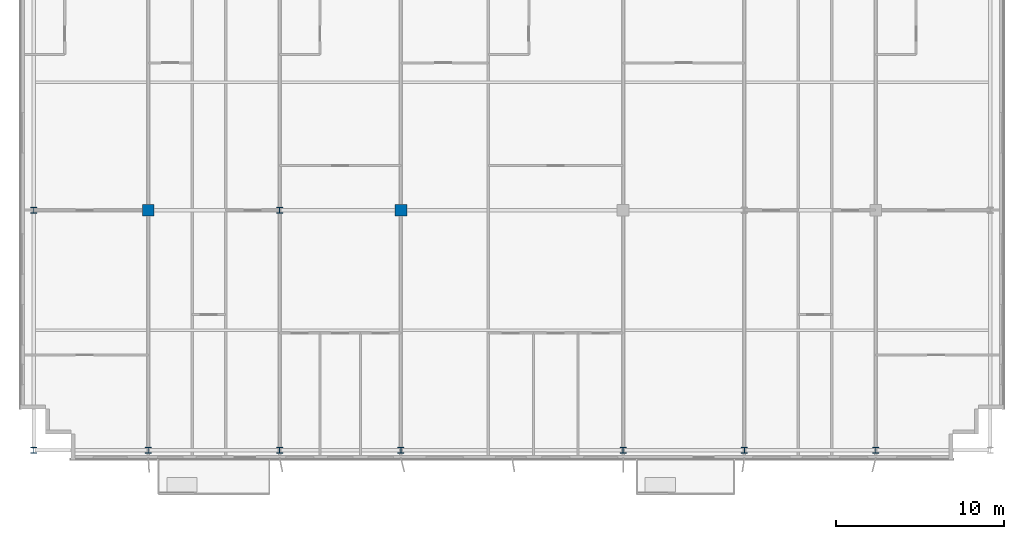
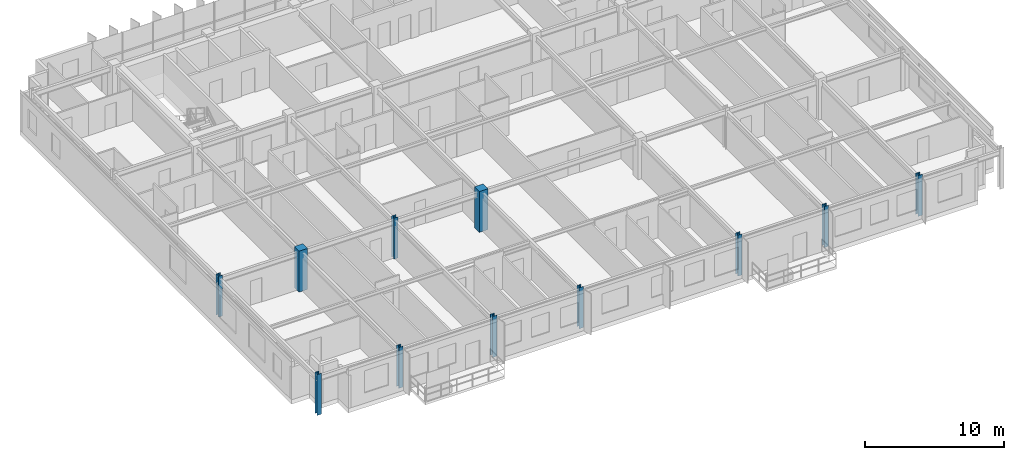
# One storey, part 1 of 23: 11 columns.
"""IFC4 building model written with IfcOpenShell, lengths in metres."""

from ifc_helpers import new_model, si_unit, direction, frame, origin, origin_2d, place, context, subcontext, project, spatial, rectangle, i_section, extrude, source, transform, mapped, material, material_profile, profile_set, type_object, element, save


model = new_model("IFC4")

# Units and contexts
model_context = context("Model", 3, precision=1e-05, world=origin(), true_north=direction((0.0, 1.0)))
body_context = subcontext(model_context, "Body", "Model", "MODEL_VIEW")
ifc_project = project(units=[si_unit("LENGTHUNIT", "METRE"), si_unit("AREAUNIT", "SQUARE_METRE"), si_unit("VOLUMEUNIT", "CUBIC_METRE"), si_unit("PLANEANGLEUNIT", "RADIAN"), si_unit("MASSUNIT", "GRAM", prefix="KILO")], contexts=[model_context])

# Site, building, storey
site_placement = place(None, origin())
site = spatial("IfcSite", under=ifc_project, at=site_placement, CompositionType="ELEMENT")
building_placement = place(site_placement, origin())
building = spatial("IfcBuilding", under=site, at=building_placement, Name="Trelvane Seafront Commons", CompositionType="ELEMENT")
storey_placement = place(building_placement, frame((0.0, 0.0, 204.89990234375)))
storey = spatial("IfcBuildingStorey", under=building, at=storey_placement, Name="L53", CompositionType="ELEMENT", Elevation=204.89990234375)

# Columns
ifc_material_1 = material(Name="Concrete C50/60", Category="concrete")
ifc_material_profile_1 = material_profile(ifc_material_1, rectangle(XDim=0.699951171875, YDim=0.699951171875, at=origin_2d()), Name="RC-700x700")
ifc_profile_set_1 = profile_set([ifc_material_profile_1], Name="Concrete C50/60")
column_type_1 = type_object("IfcColumnType", Name="STR-COL-RC700", PredefinedType="COLUMN", material=ifc_profile_set_1)
shared_shape_1 = source(origin(), body_context, "Body", "SweptSolid", [
    extrude(rectangle(XDim=0.699951171875, YDim=0.699951171875, at=origin_2d()), origin(), (0.0, 0.0, 1.0), 3.60009765625),
])
for number, where, z_axis, x_axis, name in (
    (1, (15.60009765625, 18.199951171875, 0.0), (0.0, 0.0, 1.0), (1.0, 0.0, 0.0), "L53 Column TC-M15.6"),
    (2, (30.60009765625, 18.199951171875, 0.0), (0.0, 0.0, 1.0), (1.0, 0.0, 0.0), "L53 Column TC-M30.6"),
):
    element("IfcColumn", number, at=place(storey_placement, frame(where, z_axis=z_axis, x_axis=x_axis)), inside=storey, type_object=column_type_1, Name=name, PredefinedType="COLUMN", context=body_context, shape_type="MappedRepresentation", body=[
        mapped(shared_shape_1, transform((0.0, 0.0, 0.0), x_axis=(1.0, 0.0, 0.0), y_axis=(0.0, 1.0, 0.0), z_axis=(0.0, 0.0, 1.0), scale=1.0)),
    ])
ifc_material_2 = material(Name="Steel SM355 (S355)", Category="steel")
ifc_material_profile_2 = material_profile(ifc_material_2, i_section(OverallWidth=0.35009765625, OverallDepth=0.35009765625, WebThickness=0.01806640625, FlangeThickness=0.028076171875, at=origin_2d()), Name="HD-350x350x18x28")
ifc_profile_set_2 = profile_set([ifc_material_profile_2], Name="Steel SM355 (S355)")
column_type_2 = type_object("IfcColumnType", Name="STR-COL-HD350", PredefinedType="COLUMN", material=ifc_profile_set_2)
shared_shape_2 = source(origin(), body_context, "Body", "SweptSolid", [
    extrude(i_section(OverallWidth=0.35009765625, OverallDepth=0.35009765625, WebThickness=0.01806640625, FlangeThickness=0.028076171875, at=origin_2d()), origin(), (0.0, 0.0, 1.0), 3.60009765625),
])
for number, where, z_axis, x_axis, name in (
    (3, (8.800048828125, 3.949951171875, 0.0), (0.0, 0.0, 1.0), (1.0, 0.0, 0.0), "L53 Column TC-S8.8"),
    (4, (8.800048828125, 18.199951171875, 0.0), (0.0, 0.0, 1.0), (1.0, 0.0, 0.0), "L53 Column TC-M8.8"),
    (5, (15.60009765625, 3.949951171875, 0.0), (0.0, 0.0, 1.0), (1.0, 0.0, 0.0), "L53 Column TC-S15.6"),
    (6, (23.39990234375, 3.949951171875, 0.0), (0.0, 0.0, 1.0), (1.0, 0.0, 0.0), "L53 Column TC-S23.4"),
    (7, (23.39990234375, 18.199951171875, 0.0), (0.0, 0.0, 1.0), (1.0, 0.0, 0.0), "L53 Column TC-M23.4"),
    (8, (30.60009765625, 3.949951171875, 0.0), (0.0, 0.0, 1.0), (1.0, 0.0, 0.0), "L53 Column TC-S30.6"),
    (9, (43.800048828125, 3.949951171875, 0.0), (0.0, 0.0, 1.0), (1.0, 0.0, 0.0), "L53 Column TC-S43.8"),
    (10, (51.0, 3.949951171875, 0.0), (0.0, 0.0, 1.0), (1.0, 0.0, 0.0), "L53 Column TC-S51.0"),
    (11, (58.800048828125, 3.949951171875, 0.0), (0.0, 0.0, 1.0), (1.0, 0.0, 0.0), "L53 Column TC-S58.8"),
):
    element("IfcColumn", number, at=place(storey_placement, frame(where, z_axis=z_axis, x_axis=x_axis)), inside=storey, type_object=column_type_2, Name=name, PredefinedType="COLUMN", context=body_context, shape_type="MappedRepresentation", body=[
        mapped(shared_shape_2, transform((0.0, 0.0, 0.0), x_axis=(1.0, 0.0, 0.0), y_axis=(0.0, 1.0, 0.0), z_axis=(0.0, 0.0, 1.0), scale=1.0)),
    ])

save(model, "model.ifc")
